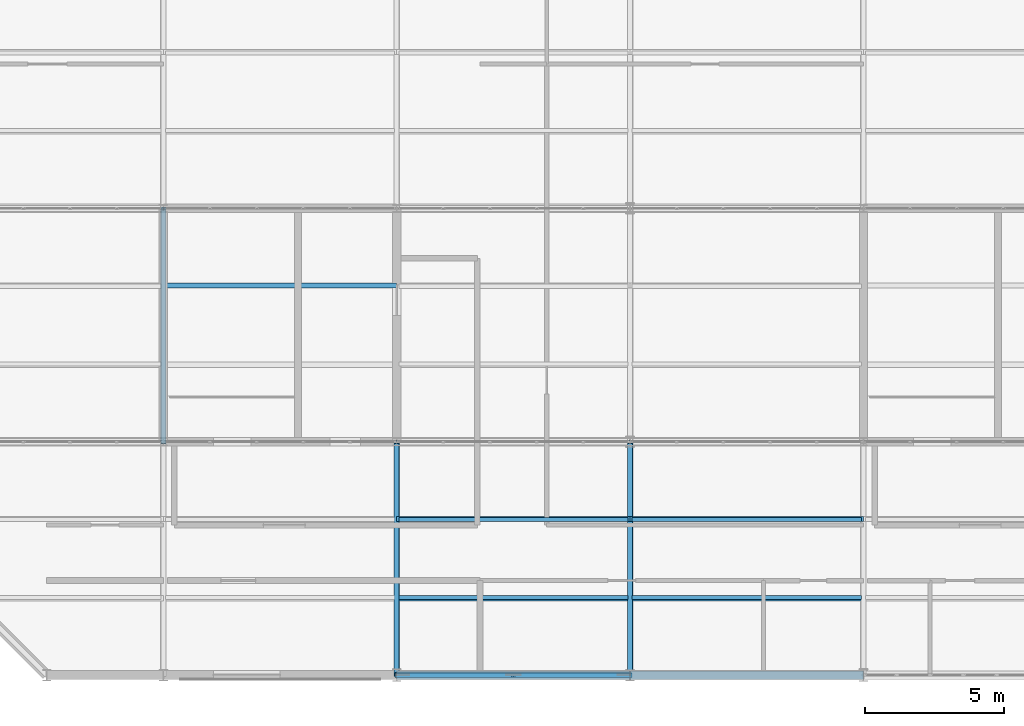
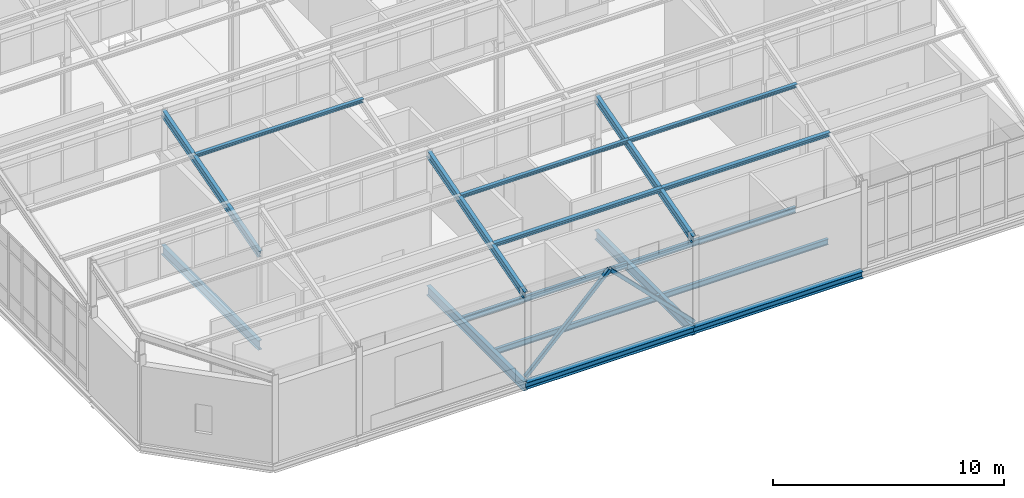
# One storey, part 9 of 53: 12 beams, 7 members.
"""IFC4 building model written with IfcOpenShell, lengths in metres."""

import ifcopenshell
import ifcopenshell.guid

model = None  # the IFC model being written
_history = None  # IfcOwnerHistory: only IFC2X3 demands one
_inside = {}  # id of a spatial element -> (the spatial element, [elements in it])
_under = {}  # id of a project, library or spatial element -> (it, [spatial elements below it])
_declared = {}  # id of a project -> (the project, [libraries it declares])
_typed = {}  # id of a type object -> (the type object, [elements of that type])
_made_of = {}  # id of a material, layer set ... -> (it, [elements and type objects made of it])


def new_model(schema):
    """Start an empty IFC model of exactly this schema.

    Asked for "IFC4X3", IfcOpenShell would pick the latest addendum, in which some entities
    have other attributes; the version numbers below select the first issue.
    IFC2X3 requires an IfcOwnerHistory on every rooted entity: one is made here for all.
    """
    global model, _history
    if schema == "IFC4X3":
        model = ifcopenshell.file(schema_version=(4, 3, 0, 0))
    else:
        model = ifcopenshell.file(schema=schema)
    _inside.clear()
    _under.clear()
    _declared.clear()
    _typed.clear()
    _made_of.clear()
    _history = None
    if model.schema == "IFC2X3":
        org = make("IfcOrganization", Name="unknown")
        user = make(
            "IfcPersonAndOrganization",
            ThePerson=make("IfcPerson", FamilyName="unknown"),
            TheOrganization=org,
        )
        app = make(
            "IfcApplication",
            ApplicationDeveloper=org,
            Version="unknown",
            ApplicationFullName="unknown",
            ApplicationIdentifier="unknown",
        )
        _history = make(
            "IfcOwnerHistory",
            OwningUser=user,
            OwningApplication=app,
            ChangeAction="ADDED",
            CreationDate=0,
        )
    return model


def make(cls, **values):
    """One entity of the class cls with the attributes given. An attribute that is None is left unset."""
    return model.create_entity(
        cls, **{name: value for name, value in values.items() if value is not None}
    )


def rooted(cls, **values):
    """An entity with a GlobalId (a new one), such as an element, a storey or a relation."""
    return make(cls, GlobalId=ifcopenshell.guid.new(), OwnerHistory=_history, **values)


def si_unit(unit_type, name, prefix=None):
    """IfcSIUnit, for example si_unit("LENGTHUNIT", "METRE", prefix="MILLI")."""
    return make("IfcSIUnit", UnitType=unit_type, Prefix=prefix, Name=name)


def assignment(units):
    """IfcUnitAssignment: the units of a project."""
    return None if units is None else make("IfcUnitAssignment", Units=units)


def point(xyz):
    """IfcCartesianPoint."""
    return None if xyz is None else make("IfcCartesianPoint", Coordinates=xyz)


def direction(xyz):
    """IfcDirection."""
    return None if xyz is None else make("IfcDirection", DirectionRatios=xyz)


def frame(location, z_axis=None, x_axis=None):
    """IfcAxis2Placement3D, a coordinate frame: its origin and axes. An axis left out is left unset."""
    return make(
        "IfcAxis2Placement3D",
        Location=point(location),
        Axis=direction(z_axis),
        RefDirection=direction(x_axis),
    )


def frame_2d(location, x_axis=None):
    """IfcAxis2Placement2D, a coordinate frame in the plane: its origin and x axis."""
    return make(
        "IfcAxis2Placement2D", Location=point(location), RefDirection=direction(x_axis)
    )


def origin():
    """The frame at (0, 0, 0) with its axes left unset."""
    return frame((0.0, 0.0, 0.0))


def origin_2d():
    """The frame at (0, 0) in the plane with its x axis left unset."""
    return frame_2d((0.0, 0.0))


def place(relative_to, where):
    """IfcLocalPlacement: puts the frame where relative to a parent placement (None: the world)."""
    return make(
        "IfcLocalPlacement", PlacementRelTo=relative_to, RelativePlacement=where
    )


def context(
    kind, dimensions, precision=None, world=None, true_north=None, identifier=None
):
    """IfcGeometricRepresentationContext, for example the 3D "Model" context."""
    return make(
        "IfcGeometricRepresentationContext",
        ContextIdentifier=identifier,
        ContextType=kind,
        CoordinateSpaceDimension=dimensions,
        Precision=precision,
        WorldCoordinateSystem=world,
        TrueNorth=true_north,
    )


def subcontext(parent, identifier, kind, view, scale=None):
    """IfcGeometricRepresentationSubContext, for example "Body" below "Model"."""
    return make(
        "IfcGeometricRepresentationSubContext",
        ContextIdentifier=identifier,
        ContextType=kind,
        ParentContext=parent,
        TargetScale=scale,
        TargetView=view,
    )


def project(units=None, contexts=None):
    """IfcProject with its units and contexts."""
    return rooted(
        "IfcProject",
        Name="project",
        RepresentationContexts=contexts,
        UnitsInContext=assignment(units),
    )


def spatial(cls, under=None, at=None, **own):
    """A site, building, storey or space (cls), placed at a placement, below another one or the project."""
    s = rooted(cls, ObjectPlacement=at, **own)
    if under is not None:
        _under.setdefault(under.id(), (under, []))[1].append(s)
    return s


def profile(cls, at=None, kind="AREA", **sizes):
    """A parametric profile (cls). Its sizes go by their IFC names, for example OverallWidth=200.0."""
    return make(cls, ProfileType=kind, Position=at, **sizes)


def hollow_rectangle(**sizes):
    """IfcRectangleHollowProfileDef."""
    return profile("IfcRectangleHollowProfileDef", **sizes)


def i_section(**sizes):
    """IfcIShapeProfileDef."""
    return profile("IfcIShapeProfileDef", **sizes)


def extrude(swept, where, along, depth):
    """IfcExtrudedAreaSolid: the profile swept, set in the frame where, extruded along a direction by depth."""
    return make(
        "IfcExtrudedAreaSolid",
        SweptArea=swept,
        Position=where,
        ExtrudedDirection=direction(along),
        Depth=depth,
    )


def shape(context_of_items, identifier, shape_type, items):
    """IfcShapeRepresentation: the items that make up one representation, for example the "Body"."""
    return make(
        "IfcShapeRepresentation",
        ContextOfItems=context_of_items,
        RepresentationIdentifier=identifier,
        RepresentationType=shape_type,
        Items=items,
    )


def material(Name=None, Category=None):
    """IfcMaterial."""
    return make("IfcMaterial", Name=Name, Category=Category)


def material_profile(
    of_material, cross_section, Name=None, Category=None, Priority=None
):
    """IfcMaterialProfile: a cross section and its material."""
    return make(
        "IfcMaterialProfile",
        Name=Name,
        Material=of_material,
        Profile=cross_section,
        Priority=Priority,
        Category=Category,
    )


def profile_set(profiles, Name=None, composite=None):
    """IfcMaterialProfileSet."""
    return make(
        "IfcMaterialProfileSet",
        Name=Name,
        MaterialProfiles=profiles,
        CompositeProfile=composite,
    )


def made_of(thing, what):
    """Note that an element or type object is made of a material, layer set ...; save() writes the relation."""
    if what is not None:
        _made_of.setdefault(what.id(), (what, []))[1].append(thing)
    return thing


def type_object(cls, material=None, **own):
    """A type object (cls), such as IfcWallType, which elements share."""
    return made_of(rooted(cls, **own), material)


def element(
    cls,
    number,
    at=None,
    inside=None,
    cuts=None,
    type_object=None,
    material=None,
    context=None,
    identifier="Body",
    shape_type=None,
    held_by="IfcProductDefinitionShape",
    body=None,
    shapes=None,
    **own,
):
    """One element of the class cls, such as IfcWall. Its Tag is "e" and its number.

    at: its placement. inside: the storey or other place that contains it. cuts: it is an
    opening in that element (IfcRelVoidsElement). A single representation is given by context,
    identifier, shape_type and body (its items); several are given by shapes. held_by: the class
    of the entity that holds the representations. save() writes the other relations.
    """
    e = rooted(cls, Tag="e%d" % number, ObjectPlacement=at, **own)
    if body is not None:
        shapes = [shape(context, identifier, shape_type, body)]
    if shapes is not None:
        e.Representation = make(held_by, Representations=shapes)
    if inside is not None:
        _inside.setdefault(inside.id(), (inside, []))[1].append(e)
    if cuts is not None:
        rooted(
            "IfcRelVoidsElement", RelatingBuildingElement=cuts, RelatedOpeningElement=e
        )
    if type_object is not None:
        _typed.setdefault(type_object.id(), (type_object, []))[1].append(e)
    return made_of(e, material)


def aggregate(whole, parts):
    """IfcRelAggregates: a whole, such as a stair, and the parts it consists of."""
    return rooted("IfcRelAggregates", RelatingObject=whole, RelatedObjects=parts)


def save(model, path):
    """Write the relations noted so far, then the file.

    IfcRelAggregates (storeys below a building ...), IfcRelContainedInSpatialStructure (elements
    in a storey), IfcRelDefinesByType, IfcRelAssociatesMaterial and IfcRelDeclares: one each for
    every whole, place, type object, material and project.
    """
    for whole, parts in _under.values():
        aggregate(whole, parts)
    for where, things in _inside.values():
        rooted(
            "IfcRelContainedInSpatialStructure",
            RelatedElements=things,
            RelatingStructure=where,
        )
    for kind, things in _typed.values():
        rooted("IfcRelDefinesByType", RelatedObjects=things, RelatingType=kind)
    for what, things in _made_of.values():
        rooted("IfcRelAssociatesMaterial", RelatedObjects=things, RelatingMaterial=what)
    for by, libraries in _declared.values():
        rooted("IfcRelDeclares", RelatingContext=by, RelatedDefinitions=libraries)
    model.write(path)


model = new_model("IFC4")

# Units and contexts
model_context = context("Model", 3, precision=1e-05, world=origin(), true_north=direction((0.0, 1.0)))
body_context = subcontext(model_context, "Body", "Model", "MODEL_VIEW")
ifc_project = project(units=[si_unit("LENGTHUNIT", "METRE"), si_unit("AREAUNIT", "SQUARE_METRE"), si_unit("VOLUMEUNIT", "CUBIC_METRE"), si_unit("PLANEANGLEUNIT", "RADIAN"), si_unit("MASSUNIT", "GRAM", prefix="KILO")], contexts=[model_context])

# Site, building, storey
site_placement = place(None, origin())
site = spatial("IfcSite", under=ifc_project, at=site_placement, CompositionType="ELEMENT")
building_placement = place(site_placement, origin())
building = spatial("IfcBuilding", under=site, at=building_placement, Name="Qalvenar Corner Mobility Hub", CompositionType="ELEMENT")
storey_placement = place(building_placement, frame((0.0, 0.0, 26.39990234375)))
storey = spatial("IfcBuildingStorey", under=building, at=storey_placement, Name="L06", CompositionType="ELEMENT", Elevation=26.39990234375)

# Beams
ifc_material = material(Name="Steel S355", Category="steel")
ifc_material_profile_1 = material_profile(ifc_material, i_section(OverallWidth=0.179931640625, OverallDepth=0.39990234375, WebThickness=0.008544921875, FlangeThickness=0.013427734375, FilletRadius=0.02099609375, at=origin_2d()), Name="IPE400")
ifc_profile_set_1 = profile_set([ifc_material_profile_1], Name="Steel S355")
beam_type_1 = type_object("IfcBeamType", Name="BM-IPE400", PredefinedType="BEAM", material=ifc_profile_set_1)
for number, where, z_axis, x_axis, name in (
    (1, (16.800048828125, 0.0, 4.340087890625), (0.0, 0.96152605678, 0.274713745804), (-1.0, 0.0, 0.0), "Sawtooth Rafter V3RF-1-3"),
    (2, (25.199951171875, 0.0, 4.340087890625), (0.0, 0.96152605678, 0.274713745804), (-1.0, 0.0, 0.0), "Sawtooth Rafter V3RF-1-4"),
):
    element("IfcBeam", number, at=place(storey_placement, frame(where, z_axis=z_axis, x_axis=x_axis)), inside=storey, type_object=beam_type_1, Name=name, PredefinedType="BEAM", context=body_context, shape_type="SweptSolid", body=[
        extrude(i_section(OverallWidth=0.179931640625, OverallDepth=0.39990234375, WebThickness=0.008544921875, FlangeThickness=0.013427734375, FilletRadius=0.02099609375, at=origin_2d()), origin(), (0.0, 0.0, 1.0), 8.736083984375),
    ])
beam_1_placement = place(storey_placement, frame((8.39990234375, 8.39990234375, 4.340087890625), z_axis=(0.0, 0.961528165748, 0.274706364092), x_axis=(-1.0, 0.0, 0.0)))
element("IfcBeam", 3, at=beam_1_placement, inside=storey, type_object=beam_type_1, Name="Sawtooth Rafter V3RF-2-2", PredefinedType="BEAM", context=body_context, shape_type="SweptSolid", body=[
    extrude(i_section(OverallWidth=0.179931640625, OverallDepth=0.39990234375, WebThickness=0.008544921875, FlangeThickness=0.013427734375, FilletRadius=0.02099609375, at=origin_2d()), origin(), (0.0, 0.0, 1.0), 8.736328125),
])
ifc_material_profile_2 = material_profile(ifc_material, i_section(OverallWidth=0.199951171875, OverallDepth=0.5, WebThickness=0.01025390625, FlangeThickness=0.01611328125, FilletRadius=0.02099609375, at=origin_2d()), Name="IPE500")
ifc_profile_set_2 = profile_set([ifc_material_profile_2], Name="Steel S355")
beam_type_2 = type_object("IfcBeamType", Name="BM-IPE500", PredefinedType="BEAM", material=ifc_profile_set_2)
beam_2_placement = place(storey_placement, frame((8.39990234375, 8.39990234375, -0.469970703125), z_axis=(0.0, 1.0, 0.0), x_axis=(-1.0, 0.0, 0.0)))
element("IfcBeam", 4, at=beam_2_placement, inside=storey, type_object=beam_type_2, Name="Primary Steel Girder GY-3082", PredefinedType="BEAM", context=body_context, shape_type="SweptSolid", body=[
    extrude(i_section(OverallWidth=0.199951171875, OverallDepth=0.5, WebThickness=0.01025390625, FlangeThickness=0.01611328125, FilletRadius=0.02099609375, at=origin_2d()), origin(), (0.0, 0.0, 1.0), 8.400146484375),
])
for number, where, z_axis, x_axis, name in (
    (5, (16.800048828125, 0.0, -0.469970703125), (0.0, 1.0, 0.0), (-1.0, 0.0, 0.0), "Primary Steel Girder GY-3085"),
    (6, (25.199951171875, 0.0, -0.469970703125), (0.0, 1.0, 0.0), (-1.0, 0.0, 0.0), "Primary Steel Girder GY-3089"),
):
    element("IfcBeam", number, at=place(storey_placement, frame(where, z_axis=z_axis, x_axis=x_axis)), inside=storey, type_object=beam_type_2, Name=name, PredefinedType="BEAM", context=body_context, shape_type="SweptSolid", body=[
        extrude(i_section(OverallWidth=0.199951171875, OverallDepth=0.5, WebThickness=0.01025390625, FlangeThickness=0.01611328125, FilletRadius=0.02099609375, at=origin_2d()), origin(), (0.0, 0.0, 1.0), 8.39990234375),
    ])
ifc_material_profile_3 = material_profile(ifc_material, i_section(OverallWidth=0.14990234375, OverallDepth=0.300048828125, WebThickness=0.007080078125, FlangeThickness=0.0107421875, FilletRadius=0.014892578125, at=origin_2d()), Name="IPE300")
ifc_profile_set_3 = profile_set([ifc_material_profile_3], Name="Steel S355")
beam_type_3 = type_object("IfcBeamType", Name="BM-JST300", PredefinedType="JOIST", material=ifc_profile_set_3)
for number, where, z_axis, x_axis, name in (
    (7, (16.8779296875, 2.800048828125, -0.369873046875), (1.0, 0.0, 0.0), (0.0, 1.0, 0.0), "Composite Floor Joist J-3116"),
    (8, (16.8779296875, 5.60009765625, -0.369873046875), (1.0, 0.0, 0.0), (0.0, 1.0, 0.0), "Composite Floor Joist J-3117"),
):
    element("IfcBeam", number, at=place(storey_placement, frame(where, z_axis=z_axis, x_axis=x_axis)), inside=storey, type_object=beam_type_3, Name=name, PredefinedType="JOIST", context=body_context, shape_type="SweptSolid", body=[
        extrude(i_section(OverallWidth=0.14990234375, OverallDepth=0.300048828125, WebThickness=0.007080078125, FlangeThickness=0.0107421875, FilletRadius=0.014892578125, at=origin_2d()), origin(), (0.0, 0.0, 1.0), 8.244140625),
    ])
for number, where, z_axis, x_axis, name in (
    (9, (25.278076171875, 2.800048828125, -0.369873046875), (1.0, 0.0, 0.0), (0.0, 1.0, 0.0), "Composite Floor Joist J-3124"),
    (10, (25.278076171875, 5.60009765625, -0.369873046875), (1.0, 0.0, 0.0), (0.0, 1.0, 0.0), "Composite Floor Joist J-3125"),
):
    element("IfcBeam", number, at=place(storey_placement, frame(where, z_axis=z_axis, x_axis=x_axis)), inside=storey, type_object=beam_type_3, Name=name, PredefinedType="JOIST", context=body_context, shape_type="SweptSolid", body=[
        extrude(i_section(OverallWidth=0.14990234375, OverallDepth=0.300048828125, WebThickness=0.007080078125, FlangeThickness=0.0107421875, FilletRadius=0.014892578125, at=origin_2d()), origin(), (0.0, 0.0, 1.0), 8.243896484375),
    ])
ifc_material_profile_4 = material_profile(ifc_material, i_section(OverallWidth=0.300048828125, OverallDepth=0.35009765625, WebThickness=0.010009765625, FlangeThickness=0.017578125, FilletRadius=0.027099609375, at=origin_2d()), Name="HEA360")
ifc_profile_set_4 = profile_set([ifc_material_profile_4], Name="Steel S355")
beam_type_4 = type_object("IfcBeamType", Name="BM-SPN360", PredefinedType="SPANDREL", material=ifc_profile_set_4)
beam_3_placement = place(storey_placement, frame((16.800048828125, 0.0, -0.39501953125), z_axis=(1.0, 0.0, 0.0), x_axis=(0.0, 1.0, 0.0)))
element("IfcBeam", 11, at=beam_3_placement, inside=storey, type_object=beam_type_4, Name="Primary Steel Girder GX-3054", PredefinedType="SPANDREL", context=body_context, shape_type="SweptSolid", body=[
    extrude(i_section(OverallWidth=0.300048828125, OverallDepth=0.35009765625, WebThickness=0.010009765625, FlangeThickness=0.017578125, FilletRadius=0.027099609375, at=origin_2d()), origin(), (0.0, 0.0, 1.0), 8.39990234375),
])
beam_4_placement = place(storey_placement, frame((25.199951171875, 0.0, -0.39501953125), z_axis=(1.0, 0.0, 0.0), x_axis=(0.0, 1.0, 0.0)))
element("IfcBeam", 12, at=beam_4_placement, inside=storey, type_object=beam_type_4, Name="Primary Steel Girder GX-3055", PredefinedType="SPANDREL", context=body_context, shape_type="SweptSolid", body=[
    extrude(i_section(OverallWidth=0.300048828125, OverallDepth=0.35009765625, WebThickness=0.010009765625, FlangeThickness=0.017578125, FilletRadius=0.027099609375, at=origin_2d()), origin(), (0.0, 0.0, 1.0), 8.400146484375),
])

# Members
ifc_material_profile_5 = material_profile(ifc_material, hollow_rectangle(XDim=0.179931640625, YDim=0.179931640625, WallThickness=0.008056640625, InnerFilletRadius=0.008056640625, OuterFilletRadius=0.01611328125, at=origin_2d()), Name="SHS180x180x8")
ifc_profile_set_5 = profile_set([ifc_material_profile_5], Name="Steel S355")
member_type_1 = type_object("IfcMemberType", Name="BR-RHS180", PredefinedType="BRACE", material=ifc_profile_set_5)
for number, where, z_axis, x_axis, name in (
    (13, (16.800048828125, 0.0, 0.02001953125), (0.705423542875, 0.0, 0.708786022124), (0.0, 1.0, 0.0), "Chevron Lateral Brace BR-055"),
    (14, (25.199951171875, 0.0, 0.02001953125), (-0.705423542875, 0.0, 0.708786022124), (0.0, -1.0, 0.0), "Chevron Lateral Brace BR-056"),
):
    element("IfcMember", number, at=place(storey_placement, frame(where, z_axis=z_axis, x_axis=x_axis)), inside=storey, type_object=member_type_1, Name=name, PredefinedType="BRACE", context=body_context, shape_type="SweptSolid", body=[
        extrude(hollow_rectangle(XDim=0.179931640625, YDim=0.179931640625, WallThickness=0.008056640625, InnerFilletRadius=0.008056640625, OuterFilletRadius=0.01611328125, at=origin_2d()), origin(), (0.0, 0.0, 1.0), 5.953857421875),
    ])
ifc_material_profile_6 = material_profile(ifc_material, i_section(OverallWidth=0.179931640625, OverallDepth=0.179931640625, WebThickness=0.008544921875, FlangeThickness=0.013916015625, FilletRadius=0.014892578125, at=origin_2d()), Name="HEB180")
ifc_profile_set_6 = profile_set([ifc_material_profile_6], Name="Steel S355")
member_type_2 = type_object("IfcMemberType", Name="PR-RHS180", PredefinedType="PURLIN", material=ifc_profile_set_6)
member_1_placement = place(storey_placement, frame((16.800048828125, 5.6279296875, 6.148193359375), z_axis=(1.0, 0.0, 0.0), x_axis=(0.0, 1.0, 0.0)))
element("IfcMember", 15, at=member_1_placement, inside=storey, type_object=member_type_2, Name="Sawtooth Roof Purlin PR-V3-1-3-67", PredefinedType="PURLIN", context=body_context, shape_type="SweptSolid", body=[
    extrude(i_section(OverallWidth=0.179931640625, OverallDepth=0.179931640625, WebThickness=0.008544921875, FlangeThickness=0.013916015625, FilletRadius=0.014892578125, at=origin_2d()), origin(), (0.0, 0.0, 1.0), 8.39990234375),
])
for number, where, z_axis, x_axis, name in (
    (16, (25.199951171875, 5.6279296875, 6.148193359375), (1.0, 0.0, 0.0), (0.0, 1.0, 0.0), "Sawtooth Roof Purlin PR-V3-1-4-67"),
    (17, (8.39990234375, 14.028076171875, 6.148193359375), (1.0, 0.0, 0.0), (0.0, 1.0, 0.0), "Sawtooth Roof Purlin PR-V3-2-2-67"),
):
    element("IfcMember", number, at=place(storey_placement, frame(where, z_axis=z_axis, x_axis=x_axis)), inside=storey, type_object=member_type_2, Name=name, PredefinedType="PURLIN", context=body_context, shape_type="SweptSolid", body=[
        extrude(i_section(OverallWidth=0.179931640625, OverallDepth=0.179931640625, WebThickness=0.008544921875, FlangeThickness=0.013916015625, FilletRadius=0.014892578125, at=origin_2d()), origin(), (0.0, 0.0, 1.0), 8.400146484375),
    ])
ifc_material_profile_7 = material_profile(ifc_material, i_section(OverallWidth=0.199951171875, OverallDepth=0.199951171875, WebThickness=0.009033203125, FlangeThickness=0.014892578125, FilletRadius=0.01806640625, at=origin_2d()), Name="HEB200")
ifc_profile_set_7 = profile_set([ifc_material_profile_7], Name="Steel S355")
member_type_3 = type_object("IfcMemberType", Name="PR-RHS200", PredefinedType="PURLIN", material=ifc_profile_set_7)
member_2_placement = place(storey_placement, frame((16.800048828125, 2.77197265625, 5.322021484375), z_axis=(1.0, 0.0, 0.0), x_axis=(0.0, 1.0, 0.0)))
element("IfcMember", 18, at=member_2_placement, inside=storey, type_object=member_type_3, Name="Sawtooth Roof Purlin PR-V3-1-3-33", PredefinedType="PURLIN", context=body_context, shape_type="SweptSolid", body=[
    extrude(i_section(OverallWidth=0.199951171875, OverallDepth=0.199951171875, WebThickness=0.009033203125, FlangeThickness=0.014892578125, FilletRadius=0.01806640625, at=origin_2d()), origin(), (0.0, 0.0, 1.0), 8.39990234375),
])
member_3_placement = place(storey_placement, frame((25.199951171875, 2.77197265625, 5.322021484375), z_axis=(1.0, 0.0, 0.0), x_axis=(0.0, 1.0, 0.0)))
element("IfcMember", 19, at=member_3_placement, inside=storey, type_object=member_type_3, Name="Sawtooth Roof Purlin PR-V3-1-4-33", PredefinedType="PURLIN", context=body_context, shape_type="SweptSolid", body=[
    extrude(i_section(OverallWidth=0.199951171875, OverallDepth=0.199951171875, WebThickness=0.009033203125, FlangeThickness=0.014892578125, FilletRadius=0.01806640625, at=origin_2d()), origin(), (0.0, 0.0, 1.0), 8.400146484375),
])

save(model, "model.ifc")
